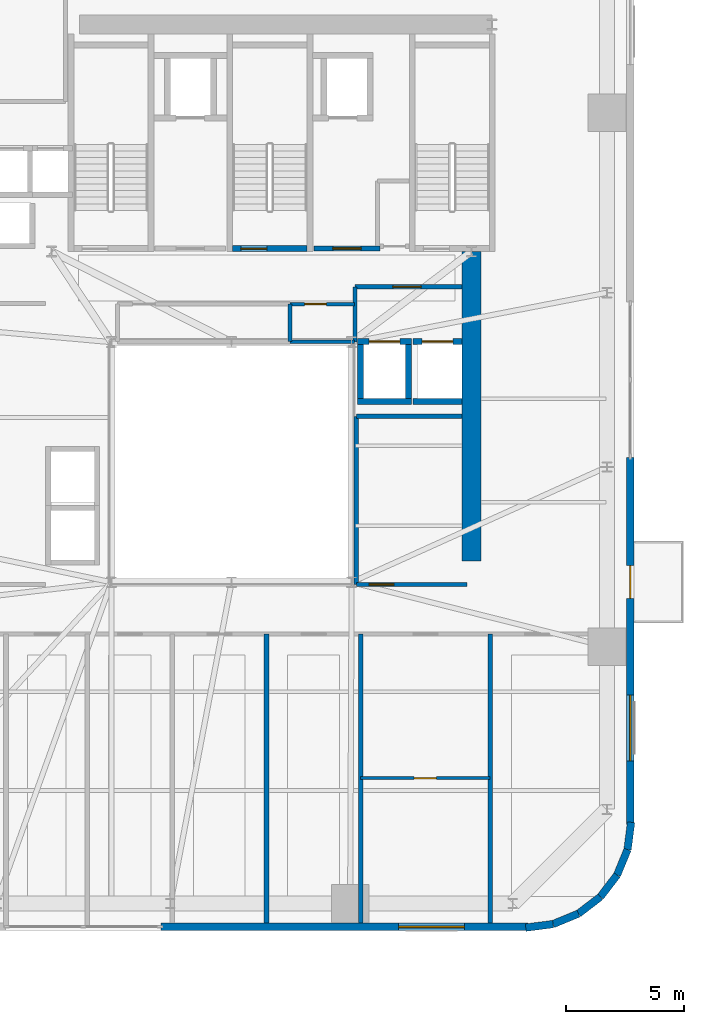
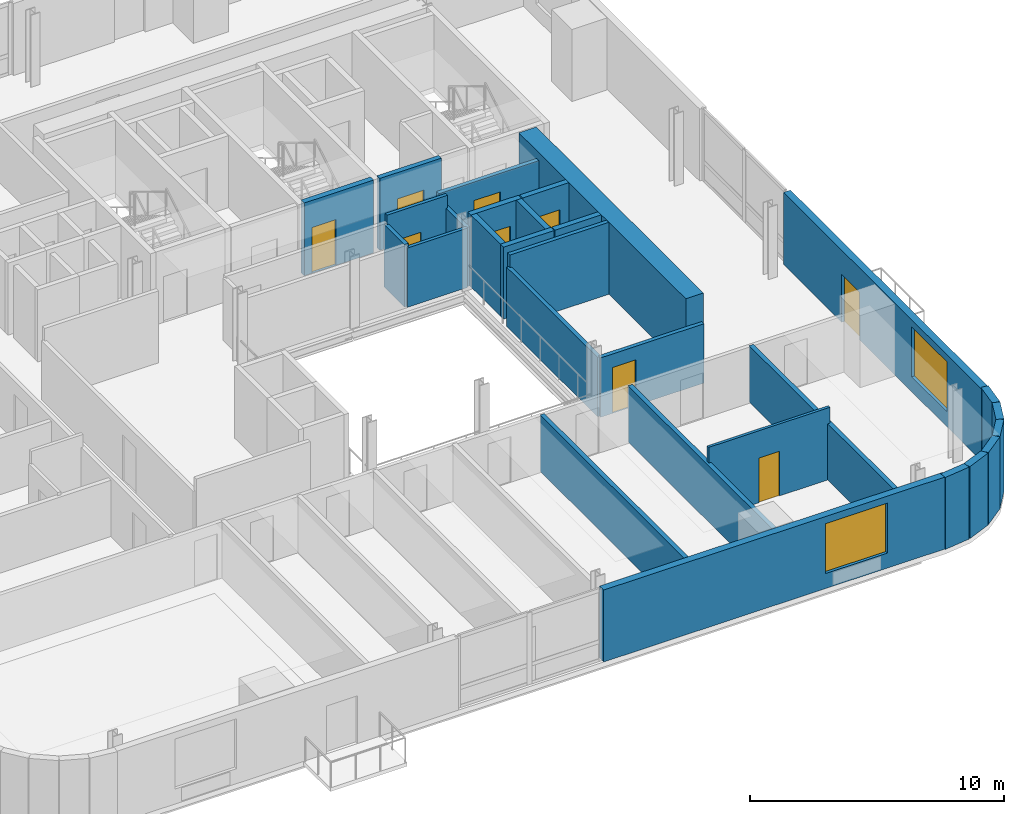
# One storey, part 7 of 14: 29 walls, 9 doors, 2 windows, 11 openings.
"""IFC4 building model written with IfcOpenShell, lengths in metres."""

from ifc_helpers import new_model, si_unit, direction, frame, frame_2d, origin, place, context, subcontext, project, spatial, rectangle, extrude, source, transform, mapped, material, layer, layer_set, type_object, element, fill, save


model = new_model("IFC4")

# Units and contexts
model_context = context("Model", 3, precision=1e-05, world=origin(), true_north=direction((0.0, 1.0)))
body_context = subcontext(model_context, "Body", "Model", "MODEL_VIEW")
ifc_project = project(units=[si_unit("LENGTHUNIT", "METRE"), si_unit("AREAUNIT", "SQUARE_METRE"), si_unit("VOLUMEUNIT", "CUBIC_METRE"), si_unit("PLANEANGLEUNIT", "RADIAN"), si_unit("MASSUNIT", "GRAM", prefix="KILO")], contexts=[model_context])

# Site, building, storey
site_placement = place(None, origin())
site = spatial("IfcSite", under=ifc_project, at=site_placement, CompositionType="ELEMENT")
building_placement = place(site_placement, origin())
building = spatial("IfcBuilding", under=site, at=building_placement, Name="Vardaveli Station Tower", CompositionType="ELEMENT")
storey_placement = place(building_placement, frame((0.0, 0.0, 140.89990234375)))
storey = spatial("IfcBuildingStorey", under=building, at=storey_placement, Name="L36", CompositionType="ELEMENT", Elevation=140.89990234375)

# Wall
ifc_material_1 = material(Name="Concrete C50/60", Category="concrete")
ifc_layer_1 = layer(ifc_material_1, 0.800048828125, Name="Concrete C50/60")
ifc_layer_set_1 = layer_set([ifc_layer_1], Name="Concrete C50/60")
wall_type_1 = type_object("IfcWallType", Name="WAL-CORE-800", PredefinedType="SHEAR", material=ifc_layer_set_1)
shared_shape_1 = source(origin(), body_context, "Body", "SweptSolid", [
    extrude(rectangle(XDim=13.14990234375, YDim=0.800048828125, at=frame_2d((6.574951171875, 0.0))), origin(), (0.0, 0.0, 1.0), 3.460205078125),
])
wall_1_placement = place(storey_placement, frame((46.5, 17.5, 0.0), z_axis=(0.0, 0.0, 1.0), x_axis=(0.0, 1.0, 0.0)))
element("IfcWall", 1, at=wall_1_placement, inside=storey, type_object=wall_type_1, Name="SW-L36-EAST2", PredefinedType="SHEAR", context=body_context, shape_type="MappedRepresentation", body=[
    mapped(shared_shape_1, transform((0.0, 0.0, 0.0), scale=1.0)),
])

# Wall, opening, window
ifc_material_2 = material(Name="Precast concrete C45/55", Category="concrete")
ifc_layer_2 = layer(ifc_material_2, 0.320068359375, Name="Precast concrete C45/55")
ifc_layer_set_2 = layer_set([ifc_layer_2], Name="Precast concrete C45/55")
wall_type_2 = type_object("IfcWallType", Name="WAL-EXT-STONE-320", PredefinedType="SOLIDWALL", material=ifc_layer_set_2)
shared_shape_2 = source(origin(), body_context, "Body", "SweptSolid", [
    extrude(rectangle(XDim=15.599853515625, YDim=0.320068359375, at=frame_2d((7.7998046875, 0.0))), origin(), (0.0, 0.0, 1.0), 3.460205078125),
])
wall_2_placement = place(storey_placement, frame((33.300048828125, 1.9599609375, 0.0), z_axis=(0.0, 0.0, 1.0), x_axis=(1.0, 0.0, 0.0)))
wall_2 = element("IfcWall", 2, at=wall_2_placement, inside=storey, type_object=wall_type_2, Name="EW-L36-S2", PredefinedType="SOLIDWALL", context=body_context, shape_type="MappedRepresentation", body=[
    mapped(shared_shape_2, transform((0.0, 0.0, 0.0), scale=1.0)),
])
shared_shape_3 = source(origin(), body_context, "Body", "SweptSolid", [
    extrude(rectangle(XDim=2.800048828125, YDim=2.39990234375, at=frame_2d((1.39990234375, 1.199951171875))), frame((0.0, 0.169921875, 0.0), z_axis=(0.0, -1.0, 0.0), x_axis=(1.0, 0.0, 0.0)), (0.0, 0.0, 1.0), 0.340087890625),
])
opening_1_placement = place(wall_2_placement, frame((10.094970703125, 0.0, 0.719970703125)))
opening_1 = element("IfcOpeningElement", 3, at=opening_1_placement, cuts=wall_2, Name="Opening W-04", PredefinedType="OPENING", context=body_context, shape_type="MappedRepresentation", body=[
    mapped(shared_shape_3, transform((0.0, 0.0, 0.0), scale=1.0)),
])
ifc_material_3 = material(Name="Low-E solar-control glass", Category="glass")
window_type = type_object("IfcWindowType", Name="WIN-SUITE-2800x2400", PartitioningType="SINGLE_PANEL", PredefinedType="WINDOW", material=ifc_material_3)
shared_shape_4 = source(origin(), body_context, "Body", "SweptSolid", [
    extrude(rectangle(XDim=2.800048828125, YDim=2.39990234375, at=frame_2d((1.39990234375, 1.199951171875))), frame((0.0, 0.030029296875, 0.0), z_axis=(0.0, -1.0, 0.0), x_axis=(1.0, 0.0, 0.0)), (0.0, 0.0, 1.0), 0.06005859375),
])
window_1_placement = place(opening_1_placement, origin())
window_1 = element("IfcWindow", 4, at=window_1_placement, inside=storey, type_object=window_type, Name="WN-L36-S2", OverallHeight=2.39990234375, OverallWidth=2.800048828125, PartitioningType="SINGLE_PANEL", PredefinedType="WINDOW", context=body_context, shape_type="MappedRepresentation", body=[
    mapped(shared_shape_4, transform((0.0, 0.0, 0.0), scale=1.0)),
])
fill(opening_1, window_1)

# Wall, openings, door, window
wall_3_placement = place(storey_placement, frame((53.239990234375, 6.300048828125, 0.0), z_axis=(0.0, 0.0, 1.0), x_axis=(0.0, 1.0, 0.0)))
wall_3 = element("IfcWall", 5, at=wall_3_placement, inside=storey, type_object=wall_type_2, Name="EW-L36-E1", PredefinedType="SOLIDWALL", context=body_context, shape_type="MappedRepresentation", body=[
    mapped(shared_shape_2, transform((0.0, 0.0, 0.0), scale=1.0)),
])
shared_shape_5 = source(origin(), body_context, "Body", "SweptSolid", [
    extrude(rectangle(XDim=1.39990234375, YDim=2.300048828125, at=frame_2d((0.699951171875, 1.14990234375))), frame((0.0, 0.169921875, 0.0), z_axis=(0.0, -1.0, 0.0), x_axis=(1.0, 0.0, 0.0)), (0.0, 0.0, 1.0), 0.340087890625),
])
opening_2_placement = place(wall_3_placement, frame((9.6103515625, 0.0, 0.0)))
opening_2 = element("IfcOpeningElement", 6, at=opening_2_placement, cuts=wall_3, Name="Opening D-09", PredefinedType="OPENING", context=body_context, shape_type="MappedRepresentation", body=[
    mapped(shared_shape_5, transform((0.0, 0.0, 0.0), scale=1.0)),
])
opening_3_placement = place(wall_3_placement, frame((2.705078125, 0.0, 0.719970703125)))
opening_3 = element("IfcOpeningElement", 7, at=opening_3_placement, cuts=wall_3, Name="Opening W-04", PredefinedType="OPENING", context=body_context, shape_type="MappedRepresentation", body=[
    mapped(shared_shape_3, transform((0.0, 0.0, 0.0), scale=1.0)),
])
ifc_material_4 = material(Name="Thermally broken aluminium glass", Category="aluminium")
door_type_1 = type_object("IfcDoorType", Name="DR-LOG-1400x2300", OperationType="DOUBLE_DOOR_SLIDING", PredefinedType="DOOR", material=ifc_material_4)
shared_shape_6 = source(origin(), body_context, "Body", "SweptSolid", [
    extrude(rectangle(XDim=1.39990234375, YDim=2.300048828125, at=frame_2d((0.699951171875, 1.14990234375))), frame((0.0, 0.02490234375, 0.0), z_axis=(0.0, -1.0, 0.0), x_axis=(1.0, 0.0, 0.0)), (0.0, 0.0, 1.0), 0.050048828125),
])
door_1_placement = place(opening_2_placement, frame((1.39990234375, 0.0, 0.0), z_axis=(0.0, 0.0, 1.0), x_axis=(-1.0, 0.0, 0.0)))
door_1 = element("IfcDoor", 8, at=door_1_placement, inside=storey, type_object=door_type_1, Name="DLG-L36-E", OperationType="DOUBLE_DOOR_SLIDING", OverallHeight=2.300048828125, OverallWidth=1.39990234375, PredefinedType="DOOR", context=body_context, shape_type="MappedRepresentation", body=[
    mapped(shared_shape_6, transform((0.0, 0.0, 0.0), scale=1.0)),
])
fill(opening_2, door_1)
window_2_placement = place(opening_3_placement, origin())
window_2 = element("IfcWindow", 9, at=window_2_placement, inside=storey, type_object=window_type, Name="WN-L36-E1", OverallHeight=2.39990234375, OverallWidth=2.800048828125, PartitioningType="SINGLE_PANEL", PredefinedType="WINDOW", context=body_context, shape_type="MappedRepresentation", body=[
    mapped(shared_shape_4, transform((0.0, 0.0, 0.0), scale=1.0)),
])
fill(opening_3, window_2)

# Walls
shared_shape_7 = source(origin(), body_context, "Body", "SweptSolid", [
    extrude(rectangle(XDim=1.170654296875, YDim=0.320068359375, at=frame_2d((0.58544921875, 0.0))), origin(), (0.0, 0.0, 1.0), 3.460205078125),
])
wall_4_placement = place(storey_placement, frame((53.12548828125, 5.23974609375, 0.0), z_axis=(0.0, 0.0, 1.0), x_axis=(0.128269133229, 0.991739395941, 0.0)))
element("IfcWall", 10, at=wall_4_placement, inside=storey, type_object=wall_type_2, Name="EW-L36-CR2-6", PredefinedType="SOLIDWALL", context=body_context, shape_type="MappedRepresentation", body=[
    mapped(shared_shape_7, transform((0.0, 0.0, 0.0), scale=1.0)),
])
shared_shape_8 = source(origin(), body_context, "Body", "SweptSolid", [
    extrude(rectangle(XDim=1.1689453125, YDim=0.320068359375, at=frame_2d((0.58447265625, 0.0))), origin(), (0.0, 0.0, 1.0), 3.460205078125),
])
for number, where, z_axis, x_axis, name in (
    (11, (51.96875, 3.231201171875, 0.0), (0.0, 0.0, 1.0), (0.608387696831, 0.793639975269, 0.0), "EW-L36-CR2-4"),
    (12, (52.679931640625, 4.158935546875, 0.0), (0.0, 0.0, 1.0), (0.381127904695, 0.924522320046, 0.0), "EW-L36-CR2-5"),
):
    element("IfcWall", number, at=place(storey_placement, frame(where, z_axis=z_axis, x_axis=x_axis)), inside=storey, type_object=wall_type_2, Name=name, PredefinedType="SOLIDWALL", context=body_context, shape_type="MappedRepresentation", body=[
        mapped(shared_shape_8, transform((0.0, 0.0, 0.0), scale=1.0)),
    ])
shared_shape_9 = source(origin(), body_context, "Body", "SweptSolid", [
    extrude(rectangle(XDim=1.168701171875, YDim=0.320068359375, at=frame_2d((0.58447265625, 0.0))), origin(), (0.0, 0.0, 1.0), 3.460205078125),
])
wall_5_placement = place(storey_placement, frame((51.041259765625, 2.520263671875, 0.0), z_axis=(0.0, 0.0, 1.0), x_axis=(0.793663520347, 0.608356981114, 0.0)))
element("IfcWall", 13, at=wall_5_placement, inside=storey, type_object=wall_type_2, Name="EW-L36-CR2-3", PredefinedType="SOLIDWALL", context=body_context, shape_type="MappedRepresentation", body=[
    mapped(shared_shape_9, transform((0.0, 0.0, 0.0), scale=1.0)),
])
shared_shape_10 = source(origin(), body_context, "Body", "SweptSolid", [
    extrude(rectangle(XDim=1.16943359375, YDim=0.320068359375, at=frame_2d((0.584716796875, 0.0))), origin(), (0.0, 0.0, 1.0), 3.460205078125),
])
wall_6_placement = place(storey_placement, frame((49.960205078125, 2.074462890625, 0.0), z_axis=(0.0, 0.0, 1.0), x_axis=(0.924479075121, 0.381232789334, 0.0)))
element("IfcWall", 14, at=wall_6_placement, inside=storey, type_object=wall_type_2, Name="EW-L36-CR2-2", PredefinedType="SOLIDWALL", context=body_context, shape_type="MappedRepresentation", body=[
    mapped(shared_shape_10, transform((0.0, 0.0, 0.0), scale=1.0)),
])
shared_shape_11 = source(origin(), body_context, "Body", "SweptSolid", [
    extrude(rectangle(XDim=1.170166015625, YDim=0.320068359375, at=frame_2d((0.5849609375, 0.0))), origin(), (0.0, 0.0, 1.0), 3.460205078125),
])
wall_7_placement = place(storey_placement, frame((48.799560546875, 1.924560546875, 0.0), z_axis=(0.0, 0.0, 1.0), x_axis=(0.991762485493, 0.128090485085, 0.0)))
element("IfcWall", 15, at=wall_7_placement, inside=storey, type_object=wall_type_2, Name="EW-L36-CR2-1", PredefinedType="SOLIDWALL", context=body_context, shape_type="MappedRepresentation", body=[
    mapped(shared_shape_11, transform((0.0, 0.0, 0.0), scale=1.0)),
])

# Wall, opening, door
ifc_material_5 = material(Name="Concrete C40/50", Category="concrete")
ifc_layer_3 = layer(ifc_material_5, 0.25, Name="Concrete C40/50")
ifc_layer_set_3 = layer_set([ifc_layer_3], Name="Concrete C40/50")
wall_type_3 = type_object("IfcWallType", Name="WAL-SHAFT-250", PredefinedType="SOLIDWALL", material=ifc_layer_set_3)
shared_shape_12 = source(origin(), body_context, "Body", "SweptSolid", [
    extrude(rectangle(XDim=3.14990234375, YDim=0.25, at=frame_2d((1.574951171875, 0.0))), origin(), (0.0, 0.0, 1.0), 3.5),
])
wall_8_placement = place(storey_placement, frame((36.35009765625, 30.77490234375, 0.0), z_axis=(0.0, 0.0, 1.0), x_axis=(1.0, 0.0, 0.0)))
wall_8 = element("IfcWall", 16, at=wall_8_placement, inside=storey, type_object=wall_type_3, Name="W-L36-ST-2S", PredefinedType="SOLIDWALL", context=body_context, shape_type="MappedRepresentation", body=[
    mapped(shared_shape_12, transform((0.0, 0.0, 0.0), scale=1.0)),
])
shared_shape_13 = source(origin(), body_context, "Body", "SweptSolid", [
    extrude(rectangle(XDim=1.10009765625, YDim=2.199951171875, at=frame_2d((0.550048828125, 1.10009765625))), frame((0.0, 0.135009765625, 0.0), z_axis=(0.0, -1.0, 0.0), x_axis=(1.0, 0.0, 0.0)), (0.0, 0.0, 1.0), 0.27001953125),
])
opening_4_placement = place(wall_8_placement, frame((0.35009765625, 0.0, 0.0)))
opening_4 = element("IfcOpeningElement", 17, at=opening_4_placement, cuts=wall_8, Name="Opening D-04", PredefinedType="OPENING", context=body_context, shape_type="MappedRepresentation", body=[
    mapped(shared_shape_13, transform((0.0, 0.0, 0.0), scale=1.0)),
])
ifc_material_6 = material(Name="Steel smokeproof fire doorset", Category="steel")
door_type_2 = type_object("IfcDoorType", Name="DR-ST-1100x2200", OperationType="NOTDEFINED", PredefinedType="DOOR", material=ifc_material_6)
shared_shape_14 = source(origin(), body_context, "Body", "SweptSolid", [
    extrude(rectangle(XDim=1.10009765625, YDim=2.199951171875, at=frame_2d((0.550048828125, 1.10009765625))), frame((0.0, 0.02490234375, 0.0), z_axis=(0.0, -1.0, 0.0), x_axis=(1.0, 0.0, 0.0)), (0.0, 0.0, 1.0), 0.050048828125),
])
door_2_placement = place(opening_4_placement, origin())
door_2 = element("IfcDoor", 18, at=door_2_placement, inside=storey, type_object=door_type_2, Name="DST-2-L36", OperationType="SINGLE_SWING_LEFT", OverallHeight=2.199951171875, OverallWidth=1.10009765625, PredefinedType="DOOR", context=body_context, shape_type="MappedRepresentation", body=[
    mapped(shared_shape_14, transform((0.0, 0.0, 0.0), scale=1.0)),
])
fill(opening_4, door_2)

ifc_layer_4 = layer(ifc_material_5, 0.219970703125, Name="Concrete C40/50")
ifc_layer_set_4 = layer_set([ifc_layer_4], Name="Concrete C40/50")
wall_type_4 = type_object("IfcWallType", Name="WAL-FFLOBBY-220", PredefinedType="SOLIDWALL", material=ifc_layer_set_4)
shared_shape_15 = source(origin(), body_context, "Body", "SweptSolid", [
    extrude(rectangle(XDim=2.800048828125, YDim=0.219970703125, at=frame_2d((1.39990234375, 0.0))), origin(), (0.0, 0.0, 1.0), 3.460205078125),
])
wall_9_placement = place(storey_placement, frame((39.800048828125, 30.780029296875, 0.0), z_axis=(0.0, 0.0, 1.0), x_axis=(1.0, 0.0, 0.0)))
wall_9 = element("IfcWall", 19, at=wall_9_placement, inside=storey, type_object=wall_type_4, Name="W-L36-FFL2S", PredefinedType="SOLIDWALL", context=body_context, shape_type="MappedRepresentation", body=[
    mapped(shared_shape_15, transform((0.0, 0.0, 0.0), scale=1.0)),
])
shared_shape_16 = source(origin(), body_context, "Body", "SweptSolid", [
    extrude(rectangle(XDim=1.199951171875, YDim=2.199951171875, at=frame_2d((0.60009765625, 1.10009765625))), frame((0.0, 0.1201171875, 0.0), z_axis=(0.0, -1.0, 0.0), x_axis=(1.0, 0.0, 0.0)), (0.0, 0.0, 1.0), 0.239990234375),
])
opening_5_placement = place(wall_9_placement, frame((0.800048828125, 0.0, 0.0)))
opening_5 = element("IfcOpeningElement", 20, at=opening_5_placement, cuts=wall_9, Name="Opening D-03", PredefinedType="OPENING", context=body_context, shape_type="MappedRepresentation", body=[
    mapped(shared_shape_16, transform((0.0, 0.0, 0.0), scale=1.0)),
])
door_type_3 = type_object("IfcDoorType", Name="DR-FFL-1200x2200", OperationType="NOTDEFINED", PredefinedType="DOOR", material=ifc_material_6)
shared_shape_17 = source(origin(), body_context, "Body", "SweptSolid", [
    extrude(rectangle(XDim=1.199951171875, YDim=2.199951171875, at=frame_2d((0.60009765625, 1.10009765625))), frame((0.0, 0.02490234375, 0.0), z_axis=(0.0, -1.0, 0.0), x_axis=(1.0, 0.0, 0.0)), (0.0, 0.0, 1.0), 0.050048828125),
])
door_3_placement = place(opening_5_placement, origin())
door_3 = element("IfcDoor", 21, at=door_3_placement, inside=storey, type_object=door_type_3, Name="DFFL2-L36", OperationType="SINGLE_SWING_RIGHT", OverallHeight=2.199951171875, OverallWidth=1.199951171875, PredefinedType="DOOR", context=body_context, shape_type="MappedRepresentation", body=[
    mapped(shared_shape_17, transform((0.0, 0.0, 0.0), scale=1.0)),
])
fill(opening_5, door_3)

# Wall
shared_shape_18 = source(origin(), body_context, "Body", "SweptSolid", [
    extrude(rectangle(XDim=2.300048828125, YDim=0.25, at=frame_2d((1.14990234375, 0.0))), origin(), (0.0, 0.0, 1.0), 3.460205078125),
])
wall_10_placement = place(storey_placement, frame((41.64990234375, 24.27490234375, 0.0), z_axis=(0.0, 0.0, 1.0), x_axis=(1.0, 0.0, 0.0)))
element("IfcWall", 22, at=wall_10_placement, inside=storey, type_object=wall_type_3, Name="SHW-SRV-01-L36-S", PredefinedType="SOLIDWALL", context=body_context, shape_type="MappedRepresentation", body=[
    mapped(shared_shape_18, transform((0.0, 0.0, 0.0), scale=1.0)),
])

# Wall, opening, door
wall_11_placement = place(storey_placement, frame((41.64990234375, 26.824951171875, 0.0), z_axis=(0.0, 0.0, 1.0), x_axis=(1.0, 0.0, 0.0)))
wall_11 = element("IfcWall", 23, at=wall_11_placement, inside=storey, type_object=wall_type_3, Name="SHW-SRV-01-L36-N", PredefinedType="SOLIDWALL", context=body_context, shape_type="MappedRepresentation", body=[
    mapped(shared_shape_18, transform((0.0, 0.0, 0.0), scale=1.0)),
])
shared_shape_19 = source(origin(), body_context, "Body", "SweptSolid", [
    extrude(rectangle(XDim=1.300048828125, YDim=2.300048828125, at=frame_2d((0.64990234375, 1.14990234375))), frame((0.0, 0.135009765625, 0.0), z_axis=(0.0, -1.0, 0.0), x_axis=(1.0, 0.0, 0.0)), (0.0, 0.0, 1.0), 0.27001953125),
])
opening_6_placement = place(wall_11_placement, frame((0.5, 0.0, 0.0)))
opening_6 = element("IfcOpeningElement", 24, at=opening_6_placement, cuts=wall_11, Name="Opening LD-03", PredefinedType="OPENING", context=body_context, shape_type="MappedRepresentation", body=[
    mapped(shared_shape_19, transform((0.0, 0.0, 0.0), scale=1.0)),
])
ifc_material_7 = material(Name="Brushed stainless steel", Category="steel")
door_type_4 = type_object("IfcDoorType", Name="DR-LD-1300x2300", OperationType="DOUBLE_DOOR_SLIDING", PredefinedType="DOOR", material=ifc_material_7)
shared_shape_20 = source(origin(), body_context, "Body", "SweptSolid", [
    extrude(rectangle(XDim=1.300048828125, YDim=2.300048828125, at=frame_2d((0.64990234375, 1.14990234375))), frame((0.0, 0.02490234375, 0.0), z_axis=(0.0, -1.0, 0.0), x_axis=(1.0, 0.0, 0.0)), (0.0, 0.0, 1.0), 0.050048828125),
])
door_4_placement = place(opening_6_placement, origin())
door_4 = element("IfcDoor", 25, at=door_4_placement, inside=storey, type_object=door_type_4, Name="LD-SRV-01-L36", OperationType="DOUBLE_DOOR_SLIDING", OverallHeight=2.300048828125, OverallWidth=1.300048828125, PredefinedType="DOOR", context=body_context, shape_type="MappedRepresentation", body=[
    mapped(shared_shape_20, transform((0.0, 0.0, 0.0), scale=1.0)),
])
fill(opening_6, door_4)

# Walls
for number, where, z_axis, x_axis, name in (
    (26, (41.77490234375, 24.39990234375, 0.0), (0.0, 0.0, 1.0), (0.0, 1.0, 0.0), "SHW-SRV-01-L36-W"),
    (27, (43.824951171875, 24.39990234375, 0.0), (0.0, 0.0, 1.0), (0.0, 1.0, 0.0), "SHW-SRV-01-L36-E"),
):
    element("IfcWall", number, at=place(storey_placement, frame(where, z_axis=z_axis, x_axis=x_axis)), inside=storey, type_object=wall_type_3, Name=name, PredefinedType="SOLIDWALL", context=body_context, shape_type="MappedRepresentation", body=[
        mapped(shared_shape_18, transform((0.0, 0.0, 0.0), scale=1.0)),
    ])
shared_shape_21 = source(origin(), body_context, "Body", "SweptSolid", [
    extrude(rectangle(XDim=2.10009765625, YDim=0.25, at=frame_2d((1.050048828125, 0.0))), origin(), (0.0, 0.0, 1.0), 3.460205078125),
])
wall_12_placement = place(storey_placement, frame((44.0, 24.27490234375, 0.0), z_axis=(0.0, 0.0, 1.0), x_axis=(1.0, 0.0, 0.0)))
element("IfcWall", 28, at=wall_12_placement, inside=storey, type_object=wall_type_3, Name="SHW-SRV-02-L36-S", PredefinedType="SOLIDWALL", context=body_context, shape_type="MappedRepresentation", body=[
    mapped(shared_shape_21, transform((0.0, 0.0, 0.0), scale=1.0)),
])

# Wall, opening, door
wall_13_placement = place(storey_placement, frame((44.0, 26.824951171875, 0.0), z_axis=(0.0, 0.0, 1.0), x_axis=(1.0, 0.0, 0.0)))
wall_13 = element("IfcWall", 29, at=wall_13_placement, inside=storey, type_object=wall_type_3, Name="SHW-SRV-02-L36-N", PredefinedType="SOLIDWALL", context=body_context, shape_type="MappedRepresentation", body=[
    mapped(shared_shape_21, transform((0.0, 0.0, 0.0), scale=1.0)),
])
opening_7_placement = place(wall_13_placement, frame((0.39990234375, 0.0, 0.0)))
opening_7 = element("IfcOpeningElement", 30, at=opening_7_placement, cuts=wall_13, Name="Opening LD-03", PredefinedType="OPENING", context=body_context, shape_type="MappedRepresentation", body=[
    mapped(shared_shape_19, transform((0.0, 0.0, 0.0), scale=1.0)),
])
door_5_placement = place(opening_7_placement, origin())
door_5 = element("IfcDoor", 31, at=door_5_placement, inside=storey, type_object=door_type_4, Name="LD-SRV-02-L36", OperationType="DOUBLE_DOOR_SLIDING", OverallHeight=2.300048828125, OverallWidth=1.300048828125, PredefinedType="DOOR", context=body_context, shape_type="MappedRepresentation", body=[
    mapped(shared_shape_20, transform((0.0, 0.0, 0.0), scale=1.0)),
])
fill(opening_7, door_5)

ifc_material_8 = material(Name="Fire-rated gypsum stud partition")
ifc_layer_5 = layer(ifc_material_8, 0.179931640625, Name="Fire-rated gypsum stud partition")
ifc_layer_set_5 = layer_set([ifc_layer_5], Name="Fire-rated gypsum stud partition")
wall_type_5 = type_object("IfcWallType", Name="WAL-CORR-180", PredefinedType="PARTITIONING", material=ifc_layer_set_5)
shared_shape_22 = source(origin(), body_context, "Body", "SweptSolid", [
    extrude(rectangle(XDim=4.5478515625, YDim=0.179931640625, at=frame_2d((2.27392578125, 0.0))), origin(), (0.0, 0.0, 1.0), 3.092041015625),
])
wall_14_placement = place(storey_placement, frame((41.550048828125, 29.14990234375, 0.0), z_axis=(0.0, 0.0, 1.0), x_axis=(1.0, 0.0, 0.0)))
wall_14 = element("IfcWall", 32, at=wall_14_placement, inside=storey, type_object=wall_type_5, Name="W-L36-SVFN", PredefinedType="PARTITIONING", context=body_context, shape_type="MappedRepresentation", body=[
    mapped(shared_shape_22, transform((0.0, 0.0, 0.0), scale=1.0)),
])
shared_shape_23 = source(origin(), body_context, "Body", "SweptSolid", [
    extrude(rectangle(XDim=1.199951171875, YDim=2.199951171875, at=frame_2d((0.60009765625, 1.10009765625))), frame((0.0, 0.10009765625, 0.0), z_axis=(0.0, -1.0, 0.0), x_axis=(1.0, 0.0, 0.0)), (0.0, 0.0, 1.0), 0.199951171875),
])
opening_8_placement = place(wall_14_placement, frame((1.60009765625, 0.0, 0.0)))
opening_8 = element("IfcOpeningElement", 33, at=opening_8_placement, cuts=wall_14, Name="Opening D-03", PredefinedType="OPENING", context=body_context, shape_type="MappedRepresentation", body=[
    mapped(shared_shape_23, transform((0.0, 0.0, 0.0), scale=1.0)),
])
door_6_placement = place(opening_8_placement, origin())
door_6 = element("IfcDoor", 34, at=door_6_placement, inside=storey, type_object=door_type_3, Name="D-L36-SVF", OperationType="SINGLE_SWING_RIGHT", OverallHeight=2.199951171875, OverallWidth=1.199951171875, PredefinedType="DOOR", context=body_context, shape_type="MappedRepresentation", body=[
    mapped(shared_shape_17, transform((0.0, 0.0, 0.0), scale=1.0)),
])
fill(opening_8, door_6)

shared_shape_24 = source(origin(), body_context, "Body", "SweptSolid", [
    extrude(rectangle(XDim=4.699951171875, YDim=0.179931640625, at=frame_2d((2.35009765625, 0.0))), origin(), (0.0, 0.0, 1.0), 2.85205078125),
])
wall_15_placement = place(storey_placement, frame((41.60009765625, 16.5, 0.0), z_axis=(0.0, 0.0, 1.0), x_axis=(1.0, 0.0, 0.0)))
wall_15 = element("IfcWall", 35, at=wall_15_placement, inside=storey, type_object=wall_type_5, Name="W-L36-ATE-S", PredefinedType="PARTITIONING", context=body_context, shape_type="MappedRepresentation", body=[
    mapped(shared_shape_24, transform((0.0, 0.0, 0.0), scale=1.0)),
])
shared_shape_25 = source(origin(), body_context, "Body", "SweptSolid", [
    extrude(rectangle(XDim=1.050048828125, YDim=2.199951171875, at=frame_2d((0.52490234375, 1.10009765625))), frame((0.0, 0.10009765625, 0.0), z_axis=(0.0, -1.0, 0.0), x_axis=(1.0, 0.0, 0.0)), (0.0, 0.0, 1.0), 0.199951171875),
])
opening_9_placement = place(wall_15_placement, frame((0.550048828125, 0.0, 0.0)))
opening_9 = element("IfcOpeningElement", 36, at=opening_9_placement, cuts=wall_15, Name="Opening D-05", PredefinedType="OPENING", context=body_context, shape_type="MappedRepresentation", body=[
    mapped(shared_shape_25, transform((0.0, 0.0, 0.0), scale=1.0)),
])
ifc_material_9 = material(Name="Walnut veneer acoustic fire door")
door_type_5 = type_object("IfcDoorType", Name="DR-SUITE-1050x2200", OperationType="NOTDEFINED", PredefinedType="DOOR", material=ifc_material_9)
shared_shape_26 = source(origin(), body_context, "Body", "SweptSolid", [
    extrude(rectangle(XDim=1.050048828125, YDim=2.199951171875, at=frame_2d((0.52490234375, 1.10009765625))), frame((0.0, 0.02490234375, 0.0), z_axis=(0.0, -1.0, 0.0), x_axis=(1.0, 0.0, 0.0)), (0.0, 0.0, 1.0), 0.050048828125),
])
door_7_placement = place(opening_9_placement, origin())
door_7 = element("IfcDoor", 37, at=door_7_placement, inside=storey, type_object=door_type_5, Name="D-L36-ATE1", OperationType="SINGLE_SWING_RIGHT", OverallHeight=2.199951171875, OverallWidth=1.050048828125, PredefinedType="DOOR", context=body_context, shape_type="MappedRepresentation", body=[
    mapped(shared_shape_26, transform((0.0, 0.0, 0.0), scale=1.0)),
])
fill(opening_9, door_7)

# Walls
shared_shape_27 = source(origin(), body_context, "Body", "SweptSolid", [
    extrude(rectangle(XDim=7.14990234375, YDim=0.179931640625, at=frame_2d((3.574951171875, 0.0))), origin(), (0.0, 0.0, 1.0), 2.85205078125),
])
wall_16_placement = place(storey_placement, frame((41.60009765625, 16.5, 0.0), z_axis=(0.0, 0.0, 1.0), x_axis=(0.0, 1.0, 0.0)))
element("IfcWall", 38, at=wall_16_placement, inside=storey, type_object=wall_type_5, Name="W-L36-ATE-W", PredefinedType="PARTITIONING", context=body_context, shape_type="MappedRepresentation", body=[
    mapped(shared_shape_27, transform((0.0, 0.0, 0.0), scale=1.0)),
])
shared_shape_28 = source(origin(), body_context, "Body", "SweptSolid", [
    extrude(rectangle(XDim=2.349853515625, YDim=0.179931640625, at=frame_2d((1.1748046875, 0.0))), origin(), (0.0, 0.0, 1.0), 2.85205078125),
])
wall_17_placement = place(storey_placement, frame((41.550048828125, 26.800048828125, 0.0), z_axis=(0.0, 0.0, 1.0), x_axis=(0.0, 1.0, 0.0)))
element("IfcWall", 39, at=wall_17_placement, inside=storey, type_object=wall_type_5, Name="W-L36-SVFW", PredefinedType="PARTITIONING", context=body_context, shape_type="MappedRepresentation", body=[
    mapped(shared_shape_28, transform((0.0, 0.0, 0.0), scale=1.0)),
])
ifc_material_10 = material(Name="Moisture-resistant stud partition")
ifc_layer_6 = layer(ifc_material_10, 0.14990234375, Name="Moisture-resistant stud partition")
ifc_layer_set_6 = layer_set([ifc_layer_6], Name="Moisture-resistant stud partition")
wall_type_6 = type_object("IfcWallType", Name="WAL-WET-150", PredefinedType="PARTITIONING", material=ifc_layer_set_6)
shared_shape_29 = source(origin(), body_context, "Body", "SweptSolid", [
    extrude(rectangle(XDim=2.739990234375, YDim=0.14990234375, at=frame_2d((1.3701171875, 0.0))), origin(), (0.0, 0.0, 1.0), 2.85205078125),
])
wall_18_placement = place(storey_placement, frame((38.780029296875, 26.820068359375, 0.0), z_axis=(0.0, 0.0, 1.0), x_axis=(1.0, 0.0, 0.0)))
element("IfcWall", 40, at=wall_18_placement, inside=storey, type_object=wall_type_6, Name="W-L36-WCA0-S", PredefinedType="PARTITIONING", context=body_context, shape_type="MappedRepresentation", body=[
    mapped(shared_shape_29, transform((0.0, 0.0, 0.0), scale=1.0)),
])
shared_shape_30 = source(origin(), body_context, "Body", "SweptSolid", [
    extrude(rectangle(XDim=4.497802734375, YDim=0.179931640625, at=frame_2d((2.2490234375, 0.0))), origin(), (0.0, 0.0, 1.0), 3.460205078125),
])
wall_19_placement = place(storey_placement, frame((41.60009765625, 23.64990234375, 0.0), z_axis=(0.0, 0.0, 1.0), x_axis=(1.0, 0.0, 0.0)))
element("IfcWall", 41, at=wall_19_placement, inside=storey, type_object=wall_type_5, Name="W-L36-ATE-N", PredefinedType="PARTITIONING", context=body_context, shape_type="MappedRepresentation", body=[
    mapped(shared_shape_30, transform((0.0, 0.0, 0.0), scale=1.0)),
])
ifc_material_11 = material(Name="Acoustic twin-stud gypsum partition")
ifc_layer_7 = layer(ifc_material_11, 0.199951171875, Name="Acoustic twin-stud gypsum partition")
ifc_layer_set_7 = layer_set([ifc_layer_7], Name="Acoustic twin-stud gypsum partition")
wall_type_7 = type_object("IfcWallType", Name="WAL-PARTY-200", PredefinedType="PARTITIONING", material=ifc_layer_set_7)
shared_shape_31 = source(origin(), body_context, "Body", "SweptSolid", [
    extrude(rectangle(XDim=12.27783203125, YDim=0.199951171875, at=frame_2d((6.138916015625, 0.0))), origin(), (0.0, 0.0, 1.0), 2.7021484375),
])
for number, where, z_axis, x_axis, name in (
    (42, (37.781982421875, 2.1220703125, 0.0), (0.0, 0.0, 1.0), (0.0, 1.0, 0.0), "W-L36-PS5"),
    (43, (41.784912109375, 2.1220703125, 0.0), (0.0, 0.0, 1.0), (0.0, 1.0, 0.0), "W-L36-PS6"),
    (44, (47.2880859375, 2.1220703125, 0.0), (0.0, 0.0, 1.0), (0.0, 1.0, 0.0), "W-L36-PS7"),
):
    element("IfcWall", number, at=place(storey_placement, frame(where, z_axis=z_axis, x_axis=x_axis)), inside=storey, type_object=wall_type_7, Name=name, PredefinedType="PARTITIONING", context=body_context, shape_type="MappedRepresentation", body=[
        mapped(shared_shape_31, transform((0.0, 0.0, 0.0), scale=1.0)),
    ])

# Wall, opening, door
ifc_material_12 = material(Name="Gypsum board stud partition")
ifc_layer_8 = layer(ifc_material_12, 0.125, Name="Gypsum board stud partition")
ifc_layer_set_8 = layer_set([ifc_layer_8], Name="Gypsum board stud partition")
wall_type_8 = type_object("IfcWallType", Name="WAL-INT-125", PredefinedType="PARTITIONING", material=ifc_layer_set_8)
shared_shape_32 = source(origin(), body_context, "Body", "SweptSolid", [
    extrude(rectangle(XDim=5.503173828125, YDim=0.125, at=frame_2d((2.75146484375, 0.0))), origin(), (0.0, 0.0, 1.0), 3.460205078125),
])
wall_20_placement = place(storey_placement, frame((41.784912109375, 8.27490234375, 0.0), z_axis=(0.0, 0.0, 1.0), x_axis=(1.0, 0.0, 0.0)))
wall_20 = element("IfcWall", 45, at=wall_20_placement, inside=storey, type_object=wall_type_8, Name="W-L36-SCM7", PredefinedType="PARTITIONING", context=body_context, shape_type="MappedRepresentation", body=[
    mapped(shared_shape_32, transform((0.0, 0.0, 0.0), scale=1.0)),
])
shared_shape_33 = source(origin(), body_context, "Body", "SweptSolid", [
    extrude(rectangle(XDim=0.949951171875, YDim=2.14990234375, at=frame_2d((0.47509765625, 1.074951171875))), frame((0.0, 0.072509765625, 0.0), z_axis=(0.0, -1.0, 0.0), x_axis=(1.0, 0.0, 0.0)), (0.0, 0.0, 1.0), 0.14501953125),
])
opening_10_placement = place(wall_20_placement, frame((2.271484375, 0.0, 0.0)))
opening_10 = element("IfcOpeningElement", 46, at=opening_10_placement, cuts=wall_20, Name="Opening D-11", PredefinedType="OPENING", context=body_context, shape_type="MappedRepresentation", body=[
    mapped(shared_shape_33, transform((0.0, 0.0, 0.0), scale=1.0)),
])
ifc_material_13 = material(Name="Oak veneer internal suite door")
door_type_6 = type_object("IfcDoorType", Name="DR-INT-950x2150", OperationType="NOTDEFINED", PredefinedType="DOOR", material=ifc_material_13)
shared_shape_34 = source(origin(), body_context, "Body", "SweptSolid", [
    extrude(rectangle(XDim=0.949951171875, YDim=2.14990234375, at=frame_2d((0.47509765625, 1.074951171875))), frame((0.0, 0.02490234375, 0.0), z_axis=(0.0, -1.0, 0.0), x_axis=(1.0, 0.0, 0.0)), (0.0, 0.0, 1.0), 0.050048828125),
])
door_8_placement = place(opening_10_placement, origin())
door_8 = element("IfcDoor", 47, at=door_8_placement, inside=storey, type_object=door_type_6, Name="D-L36-SCF7", OperationType="SINGLE_SWING_LEFT", OverallHeight=2.14990234375, OverallWidth=0.949951171875, PredefinedType="DOOR", context=body_context, shape_type="MappedRepresentation", body=[
    mapped(shared_shape_34, transform((0.0, 0.0, 0.0), scale=1.0)),
])
fill(opening_10, door_8)

shared_shape_35 = source(origin(), body_context, "Body", "SweptSolid", [
    extrude(rectangle(XDim=2.739990234375, YDim=0.14990234375, at=frame_2d((1.3701171875, 0.0))), origin(), (0.0, 0.0, 1.0), 3.460205078125),
])
wall_21_placement = place(storey_placement, frame((38.780029296875, 28.419921875, 0.0), z_axis=(0.0, 0.0, 1.0), x_axis=(1.0, 0.0, 0.0)))
wall_21 = element("IfcWall", 48, at=wall_21_placement, inside=storey, type_object=wall_type_6, Name="W-L36-WCA0-N", PredefinedType="PARTITIONING", context=body_context, shape_type="MappedRepresentation", body=[
    mapped(shared_shape_35, transform((0.0, 0.0, 0.0), scale=1.0)),
])
shared_shape_36 = source(origin(), body_context, "Body", "SweptSolid", [
    extrude(rectangle(XDim=0.919921875, YDim=2.10009765625, at=frame_2d((0.4599609375, 1.050048828125))), frame((0.0, 0.0849609375, 0.0), z_axis=(0.0, -1.0, 0.0), x_axis=(1.0, 0.0, 0.0)), (0.0, 0.0, 1.0), 0.169921875),
])
opening_11_placement = place(wall_21_placement, frame((0.6298828125, 0.0, 0.0)))
opening_11 = element("IfcOpeningElement", 49, at=opening_11_placement, cuts=wall_21, Name="Opening D-07", PredefinedType="OPENING", context=body_context, shape_type="MappedRepresentation", body=[
    mapped(shared_shape_36, transform((0.0, 0.0, 0.0), scale=1.0)),
])
ifc_material_14 = material(Name="Moisture-resistant hardwood door", Category="wood")
door_type_7 = type_object("IfcDoorType", Name="DR-WC-920x2100", OperationType="NOTDEFINED", PredefinedType="DOOR", material=ifc_material_14)
shared_shape_37 = source(origin(), body_context, "Body", "SweptSolid", [
    extrude(rectangle(XDim=0.919921875, YDim=2.10009765625, at=frame_2d((0.4599609375, 1.050048828125))), frame((0.0, 0.02490234375, 0.0), z_axis=(0.0, -1.0, 0.0), x_axis=(1.0, 0.0, 0.0)), (0.0, 0.0, 1.0), 0.050048828125),
])
door_9_placement = place(opening_11_placement, origin())
door_9 = element("IfcDoor", 50, at=door_9_placement, inside=storey, type_object=door_type_7, Name="D-L36-WCA", OperationType="SINGLE_SWING_LEFT", OverallHeight=2.10009765625, OverallWidth=0.919921875, PredefinedType="DOOR", context=body_context, shape_type="MappedRepresentation", body=[
    mapped(shared_shape_37, transform((0.0, 0.0, 0.0), scale=1.0)),
])
fill(opening_11, door_9)

# Wall
shared_shape_38 = source(origin(), body_context, "Body", "SweptSolid", [
    extrude(rectangle(XDim=1.599853515625, YDim=0.179931640625, at=frame_2d((0.7998046875, 0.0))), origin(), (0.0, 0.0, 1.0), 3.002197265625),
])
wall_22_placement = place(storey_placement, frame((38.780029296875, 26.820068359375, 0.0), z_axis=(0.0, 0.0, 1.0), x_axis=(0.0, 1.0, 0.0)))
element("IfcWall", 51, at=wall_22_placement, inside=storey, type_object=wall_type_5, Name="W-L36-HKP0-E", PredefinedType="PARTITIONING", context=body_context, shape_type="MappedRepresentation", body=[
    mapped(shared_shape_38, transform((0.0, 0.0, 0.0), scale=1.0)),
])

save(model, "model.ifc")
